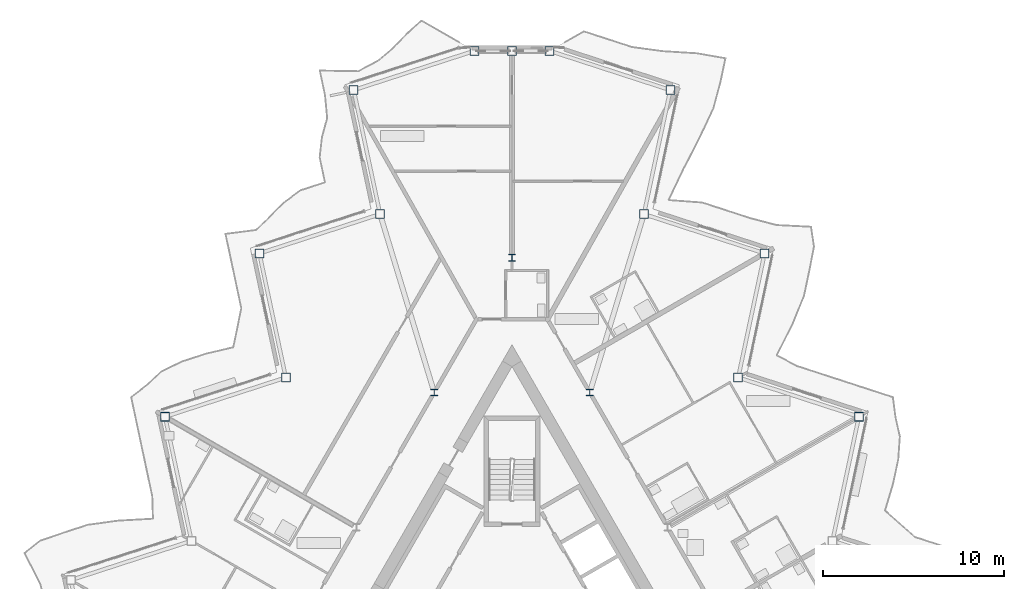
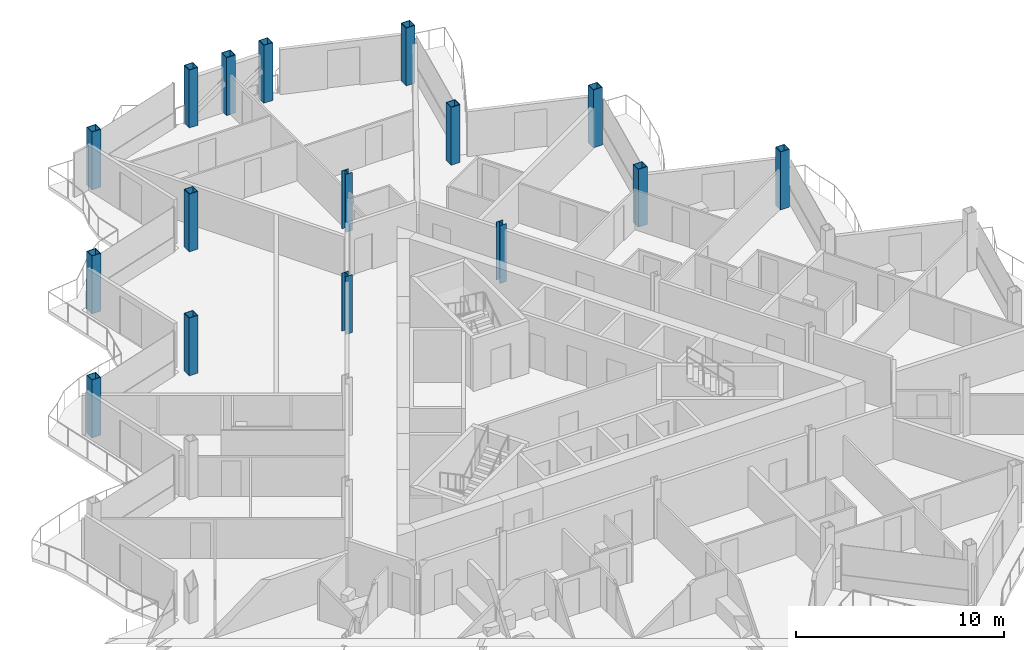
# One storey, part 3 of 26: 16 columns.
"""IFC4 building model written with IfcOpenShell, lengths in metres."""

from ifc_helpers import new_model, si_unit, direction, frame, origin, origin_2d, place, context, subcontext, project, spatial, hollow_rectangle, i_section, extrude, material, material_profile, profile_set, type_object, element, save


model = new_model("IFC4")

# Units and contexts
model_context = context("Model", 3, precision=1e-05, world=origin(), true_north=direction((0.0, 1.0)))
body_context = subcontext(model_context, "Body", "Model", "MODEL_VIEW")
ifc_project = project(units=[si_unit("LENGTHUNIT", "METRE"), si_unit("AREAUNIT", "SQUARE_METRE"), si_unit("VOLUMEUNIT", "CUBIC_METRE"), si_unit("PLANEANGLEUNIT", "RADIAN"), si_unit("MASSUNIT", "GRAM", prefix="KILO")], contexts=[model_context])

# Site, building, storey
site_placement = place(None, origin())
site = spatial("IfcSite", under=ifc_project, at=site_placement, CompositionType="ELEMENT")
building_placement = place(site_placement, origin())
building = spatial("IfcBuilding", under=site, at=building_placement, Name="Cormorant Prow Tower", CompositionType="ELEMENT")
storey_placement = place(building_placement, frame((0.0, 0.0, 374.60009765625)))
storey = spatial("IfcBuildingStorey", under=building, at=storey_placement, Name="L84", CompositionType="ELEMENT", Elevation=374.60009765625)

# Columns
ifc_material_1 = material(Name="Structural steel ASTM A572 Gr 50", Category="steel")
ifc_material_profile_1 = material_profile(ifc_material_1, hollow_rectangle(XDim=0.5, YDim=0.5, WallThickness=0.030029296875, at=origin_2d()), Name="Box 500x500x30")
ifc_profile_set_1 = profile_set([ifc_material_profile_1], Name="Structural steel ASTM A572 Gr 50")
column_type_1 = type_object("IfcColumnType", Name="Perimeter box column 500x500x30", PredefinedType="COLUMN", material=ifc_profile_set_1)
for number, where, z_axis, x_axis, name in (
    (1, (19.128662109375, 11.0439453125, 0.0), (0.0, 0.0, 1.0), (1.0, 0.0, 0.0), "Perimeter column C7 at ENE05 L84"),
    (2, (12.473876953125, 13.206298828125, 0.0), (0.0, 0.0, 1.0), (1.0, 0.0, 0.0), "Perimeter column C7 at ENE06 L84"),
    (3, (13.9287109375, 20.050537109375, 0.0), (0.0, 0.0, 1.0), (1.0, 0.0, 0.0), "Perimeter column C7 at ENE07 L84"),
    (4, (7.273681640625, 22.212890625, 0.0), (0.0, 0.0, 1.0), (1.0, 0.0, 0.0), "Perimeter column C7 at ENE08 L84"),
    (5, (8.728515625, 29.05712890625, 0.0), (0.0, 0.0, 1.0), (1.0, 0.0, 0.0), "Perimeter column C7 at ENE09 L84"),
    (6, (2.07373046875, 31.219482421875, 0.0), (0.0, 0.0, 1.0), (1.0, 0.0, 0.0), "Perimeter column C7 at N00 L84"),
    (7, (0.0, 31.219482421875, 0.0), (0.0, 0.0, 1.0), (1.0, 0.0, 0.0), "Perimeter column C7 at N01 L84"),
    (8, (-2.07373046875, 31.219482421875, 0.0), (0.0, 0.0, 1.0), (1.0, 0.0, 0.0), "Perimeter column C7 at WNW00 L84"),
    (9, (-8.728515625, 29.05712890625, 0.0), (0.0, 0.0, 1.0), (1.0, 0.0, 0.0), "Perimeter column C7 at WNW01 L84"),
    (10, (-7.273681640625, 22.212890625, 0.0), (0.0, 0.0, 1.0), (1.0, 0.0, 0.0), "Perimeter column C7 at WNW02 L84"),
    (11, (-13.9287109375, 20.050537109375, 0.0), (0.0, 0.0, 1.0), (1.0, 0.0, 0.0), "Perimeter column C7 at WNW03 L84"),
    (12, (-12.473876953125, 13.206298828125, 0.0), (0.0, 0.0, 1.0), (1.0, 0.0, 0.0), "Perimeter column C7 at WNW04 L84"),
    (13, (-19.128662109375, 11.0439453125, 0.0), (0.0, 0.0, 1.0), (1.0, 0.0, 0.0), "Perimeter column C7 at WNW05 L84"),
):
    element("IfcColumn", number, at=place(storey_placement, frame(where, z_axis=z_axis, x_axis=x_axis)), inside=storey, type_object=column_type_1, Name=name, PredefinedType="COLUMN", context=body_context, shape_type="SweptSolid", body=[
        extrude(hollow_rectangle(XDim=0.5, YDim=0.5, WallThickness=0.030029296875, at=origin_2d()), origin(), (0.0, 0.0, 1.0), 3.39990234375),
    ])
ifc_material_2 = material(Name="Structural steel ASTM A992 Gr 50", Category="steel")
ifc_material_profile_2 = material_profile(ifc_material_2, i_section(OverallWidth=0.3740234375, OverallDepth=0.372314453125, WebThickness=0.016357421875, FlangeThickness=0.026123046875, at=origin_2d()), Name="W14x132")
ifc_profile_set_2 = profile_set([ifc_material_profile_2], Name="Structural steel ASTM A992 Gr 50")
column_type_2 = type_object("IfcColumnType", Name="Ring column W14x132", PredefinedType="COLUMN", material=ifc_profile_set_2)
for number, where, z_axis, x_axis, name in (
    (14, (0.0, 19.81103515625, 0.0), (0.0, 0.0, 1.0), (1.0, 0.0, 0.0), "Ring column 1 L84"),
    (15, (-4.289306640625, 12.3818359375, 0.0), (0.0, 0.0, 1.0), (1.0, 0.0, 0.0), "Ring column 2 L84"),
    (16, (4.289306640625, 12.3818359375, 0.0), (0.0, 0.0, 1.0), (1.0, 0.0, 0.0), "Ring column 12 L84"),
):
    element("IfcColumn", number, at=place(storey_placement, frame(where, z_axis=z_axis, x_axis=x_axis)), inside=storey, type_object=column_type_2, Name=name, PredefinedType="COLUMN", context=body_context, shape_type="SweptSolid", body=[
        extrude(i_section(OverallWidth=0.3740234375, OverallDepth=0.372314453125, WebThickness=0.016357421875, FlangeThickness=0.026123046875, at=origin_2d()), origin(), (0.0, 0.0, 1.0), 3.39990234375),
    ])

save(model, "model.ifc")
